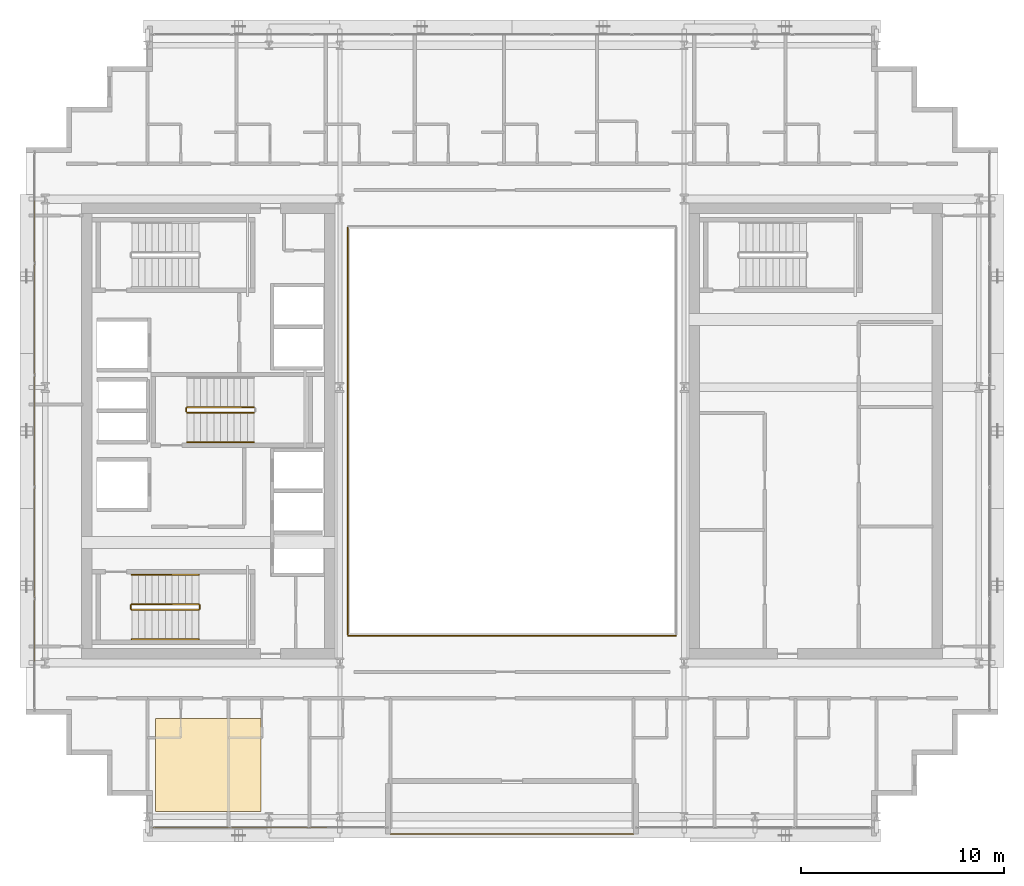
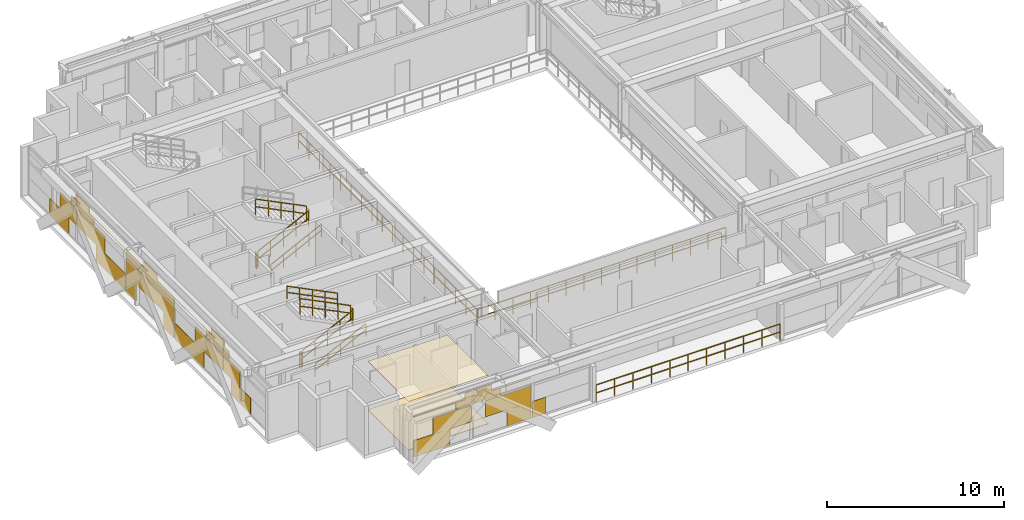
# One storey, part 29 of 32: 13 railings, 4 coverings.
"""IFC4 building model written with IfcOpenShell, lengths in metres."""

from ifc_helpers import new_model, si_unit, direction, frame, origin, origin_2d, place, context, subcontext, project, spatial, polyline, rectangle, outline, extrude, material, layer, layer_set, type_object, element, save


model = new_model("IFC4")

# Units and contexts
model_context = context("Model", 3, precision=1e-05, world=origin(), true_north=direction((0.0, 1.0)))
body_context = subcontext(model_context, "Body", "Model", "MODEL_VIEW")
ifc_project = project(units=[si_unit("LENGTHUNIT", "METRE"), si_unit("AREAUNIT", "SQUARE_METRE"), si_unit("VOLUMEUNIT", "CUBIC_METRE"), si_unit("PLANEANGLEUNIT", "RADIAN"), si_unit("MASSUNIT", "GRAM", prefix="KILO")], contexts=[model_context])

# Site, building, storey
site_placement = place(None, origin())
site = spatial("IfcSite", under=ifc_project, at=site_placement, CompositionType="ELEMENT")
building_placement = place(site_placement, origin())
building = spatial("IfcBuilding", under=site, at=building_placement, Name="Ocotamira Hotel", CompositionType="ELEMENT")
storey_placement = place(building_placement, frame((0.0, 0.0, 166.800048828125)))
storey = spatial("IfcBuildingStorey", under=building, at=storey_placement, Name="L41", CompositionType="ELEMENT", Elevation=166.800048828125)

# Coverings
ifc_material_1 = material(Name="Perforated acoustic gypsum ceiling board", Category="gypsum")
ifc_layer_1 = layer(ifc_material_1, 0.02490234375)
ifc_layer_set_1 = layer_set([ifc_layer_1], Name="Perforated acoustic gypsum ceiling board")
covering_type_1 = type_object("IfcCoveringType", Name="COV-CEIL-25", PredefinedType="CEILING", material=ifc_layer_set_1)
covering_1_placement = place(storey_placement, frame((0.0, 0.0, 3.344970703125)))
element("IfcCovering", 1, at=covering_1_placement, inside=storey, type_object=covering_type_1, Name="L41 Acoustic Ceiling", PredefinedType="CEILING", context=body_context, shape_type="SweptSolid", body=[
    extrude(outline(polyline([(14.39990234375, 7.199951171875), (19.60009765625, 7.199951171875), (19.60009765625, 11.800048828125), (14.39990234375, 11.800048828125), (14.39990234375, 7.199951171875)])), origin(), (0.0, 0.0, 1.0), 0.02490234375),
])
ifc_material_2 = material(Name="Honed desert travertine stone flooring", Category="masonry")
ifc_layer_2 = layer(ifc_material_2, 0.030029296875)
ifc_layer_set_2 = layer_set([ifc_layer_2], Name="Honed desert travertine stone flooring")
covering_type_2 = type_object("IfcCoveringType", Name="COV-FLOR-30", PredefinedType="FLOORING", material=ifc_layer_set_2)
covering_2_placement = place(storey_placement, origin())
element("IfcCovering", 2, at=covering_2_placement, inside=storey, type_object=covering_type_2, Name="L41 Honed Stone Floor Finish", PredefinedType="FLOORING", context=body_context, shape_type="SweptSolid", body=[
    extrude(outline(polyline([(14.39990234375, 7.199951171875), (19.60009765625, 7.199951171875), (19.60009765625, 11.800048828125), (14.39990234375, 11.800048828125), (14.39990234375, 7.199951171875)])), origin(), (0.0, 0.0, 1.0), 0.030029296875),
])
ifc_material_3 = material(Name="Insulated pale-metal aluminium spandrel panel", Category="aluminium")
ifc_layer_3 = layer(ifc_material_3, 0.044921875)
ifc_layer_set_3 = layer_set([ifc_layer_3], Name="Insulated pale-metal aluminium spandrel panel")
covering_type_3 = type_object("IfcCoveringType", Name="COV-INFILL-45", PredefinedType="CLADDING", material=ifc_layer_set_3)
covering_3_placement = place(storey_placement, origin())
element("IfcCovering", 3, at=covering_3_placement, inside=storey, type_object=covering_type_3, Name="L41 Curtain Wall Infill CW-4 CW-L41-S1", PredefinedType="CLADDING", context=body_context, shape_type="SweptSolid", body=[
    extrude(rectangle(XDim=2.37158203125, YDim=0.044921875, at=origin_2d()), frame((15.46630859375, 6.419921875, 0.0751953125), z_axis=(0.0, 0.0, 1.0), x_axis=(1.0, 0.0, 0.0)), (0.0, 0.0, 1.0), 1.117919921875),
    extrude(rectangle(XDim=2.510498046875, YDim=0.044921875, at=origin_2d()), frame((16.78759765625, 6.419921875, 1.19384765625), z_axis=(0.0, 0.0, 1.0), x_axis=(1.0, 0.0, 0.0)), (0.0, 0.0, 1.0), 1.117919921875),
    extrude(rectangle(XDim=3.76220703125, YDim=0.044921875, at=origin_2d()), frame((16.16162109375, 6.419921875, 2.83154296875), z_axis=(0.0, 0.0, 1.0), x_axis=(1.0, 0.0, 0.0)), (0.0, 0.0, 1.0), 0.0302734375),
    extrude(rectangle(XDim=1.018310546875, YDim=0.044921875, at=origin_2d()), frame((17.53369140625, 6.419921875, 2.3876953125), z_axis=(0.0, 0.0, 1.0), x_axis=(1.0, 0.0, 0.0)), (0.0, 0.0, 1.0), 0.442626953125),
    extrude(rectangle(XDim=0.4248046875, YDim=0.044921875, at=origin_2d()), frame((17.83056640625, 6.419921875, 2.86279296875), z_axis=(0.0, 0.0, 1.0), x_axis=(1.0, 0.0, 0.0)), (0.0, 0.0, 1.0), 0.431640625),
    extrude(rectangle(XDim=2.9765625, YDim=0.044921875, at=origin_2d()), frame((20.43798828125, 6.419921875, 1.19384765625), z_axis=(0.0, 0.0, 1.0), x_axis=(1.0, 0.0, 0.0)), (0.0, 0.0, 1.0), 1.117919921875),
    extrude(rectangle(XDim=1.578125, YDim=0.044921875, at=origin_2d()), frame((21.13720703125, 6.419921875, 0.0751953125), z_axis=(0.0, 0.0, 1.0), x_axis=(1.0, 0.0, 0.0)), (0.0, 0.0, 1.0), 1.117919921875),
    extrude(rectangle(XDim=1.8515625, YDim=0.044921875, at=origin_2d()), frame((19.049560546875, 6.419921875, 2.3876953125), z_axis=(0.0, 0.0, 1.0), x_axis=(1.0, 0.0, 0.0)), (0.0, 0.0, 1.0), 0.442626953125),
    extrude(rectangle(XDim=3.80224609375, YDim=0.044921875, at=origin_2d()), frame((20.02490234375, 6.419921875, 2.83154296875), z_axis=(0.0, 0.0, 1.0), x_axis=(1.0, 0.0, 0.0)), (0.0, 0.0, 1.0), 0.0302734375),
    extrude(rectangle(XDim=1.258056640625, YDim=0.044921875, at=origin_2d()), frame((18.7529296875, 6.419921875, 2.86279296875), z_axis=(0.0, 0.0, 1.0), x_axis=(1.0, 0.0, 0.0)), (0.0, 0.0, 1.0), 0.431640625),
    extrude(rectangle(XDim=0.85888671875, YDim=0.044921875, at=origin_2d()), frame((22.4365234375, 6.419921875, 0.0751953125), z_axis=(0.0, 0.0, 1.0), x_axis=(1.0, 0.0, 0.0)), (0.0, 0.0, 1.0), 1.117919921875),
])
covering_4_placement = place(storey_placement, origin())
element("IfcCovering", 4, at=covering_4_placement, inside=storey, type_object=covering_type_3, Name="L41 Curtain Wall Infill CW-4 CW-L41-W", PredefinedType="CLADDING", context=body_context, shape_type="SweptSolid", body=[
    extrude(rectangle(XDim=2.205078125, YDim=0.044921875, at=origin_2d()), frame((8.419921875, 15.7314453125, 0.0751953125), z_axis=(0.0, 0.0, 1.0), x_axis=(0.0, 1.0, 0.0)), (0.0, 0.0, 1.0), 1.117919921875),
    extrude(rectangle(XDim=1.864501953125, YDim=0.044921875, at=origin_2d()), frame((8.419921875, 16.747314453125, 1.19384765625), z_axis=(0.0, 0.0, 1.0), x_axis=(0.0, 1.0, 0.0)), (0.0, 0.0, 1.0), 1.117919921875),
    extrude(rectangle(XDim=0.59912109375, YDim=0.044921875, at=origin_2d()), frame((8.419921875, 17.3798828125, 2.38818359375), z_axis=(0.0, 0.0, 1.0), x_axis=(0.0, 1.0, 0.0)), (0.0, 0.0, 1.0), 0.493896484375),
    extrude(rectangle(XDim=0.07421875, YDim=0.044921875, at=origin_2d()), frame((8.419921875, 17.642333984375, 2.883056640625), z_axis=(0.0, 0.0, 1.0), x_axis=(0.0, 1.0, 0.0)), (0.0, 0.0, 1.0), 0.41162109375),
    extrude(rectangle(XDim=3.157958984375, YDim=0.044921875, at=origin_2d()), frame((8.419921875, 19.33935546875, 1.19384765625), z_axis=(0.0, 0.0, 1.0), x_axis=(0.0, 1.0, 0.0)), (0.0, 0.0, 1.0), 1.117919921875),
    extrude(rectangle(XDim=3.30029296875, YDim=0.044921875, at=origin_2d()), frame((8.419921875, 21.54931640625, 0.0751953125), z_axis=(0.0, 0.0, 1.0), x_axis=(0.0, 1.0, 0.0)), (0.0, 0.0, 1.0), 1.117919921875),
    extrude(rectangle(XDim=1.892333984375, YDim=0.044921875, at=origin_2d()), frame((8.419921875, 18.70654296875, 2.38818359375), z_axis=(0.0, 0.0, 1.0), x_axis=(0.0, 1.0, 0.0)), (0.0, 0.0, 1.0), 0.459716796875),
    extrude(rectangle(XDim=5.43896484375, YDim=0.044921875, at=origin_2d()), frame((8.419921875, 20.47998046875, 2.8486328125), z_axis=(0.0, 0.0, 1.0), x_axis=(0.0, 1.0, 0.0)), (0.0, 0.0, 1.0), 0.033203125),
    extrude(rectangle(XDim=1.367431640625, YDim=0.044921875, at=origin_2d()), frame((8.419921875, 18.444091796875, 2.883056640625), z_axis=(0.0, 0.0, 1.0), x_axis=(0.0, 1.0, 0.0)), (0.0, 0.0, 1.0), 0.41162109375),
    extrude(rectangle(XDim=1.18701171875, YDim=0.044921875, at=origin_2d()), frame((8.419921875, 23.873779296875, 0.0751953125), z_axis=(0.0, 0.0, 1.0), x_axis=(0.0, 1.0, 0.0)), (0.0, 0.0, 1.0), 1.117919921875),
    extrude(rectangle(XDim=5.43896484375, YDim=0.044921875, at=origin_2d()), frame((8.419921875, 26.0, 1.19384765625), z_axis=(0.0, 0.0, 1.0), x_axis=(0.0, 1.0, 0.0)), (0.0, 0.0, 1.0), 1.117919921875),
    extrude(rectangle(XDim=1.18701171875, YDim=0.044921875, at=origin_2d()), frame((8.419921875, 28.126220703125, 0.0751953125), z_axis=(0.0, 0.0, 1.0), x_axis=(0.0, 1.0, 0.0)), (0.0, 0.0, 1.0), 1.117919921875),
    extrude(rectangle(XDim=5.43896484375, YDim=0.044921875, at=origin_2d()), frame((8.419921875, 26.0, 2.38818359375), z_axis=(0.0, 0.0, 1.0), x_axis=(0.0, 1.0, 0.0)), (0.0, 0.0, 1.0), 0.493896484375),
    extrude(rectangle(XDim=1.522705078125, YDim=0.044921875, at=origin_2d()), frame((8.419921875, 26.0, 2.883056640625), z_axis=(0.0, 0.0, 1.0), x_axis=(0.0, 1.0, 0.0)), (0.0, 0.0, 1.0), 0.41162109375),
    extrude(rectangle(XDim=3.30029296875, YDim=0.044921875, at=origin_2d()), frame((8.419921875, 30.45068359375, 0.0751953125), z_axis=(0.0, 0.0, 1.0), x_axis=(0.0, 1.0, 0.0)), (0.0, 0.0, 1.0), 1.117919921875),
    extrude(rectangle(XDim=3.157958984375, YDim=0.044921875, at=origin_2d()), frame((8.419921875, 32.66064453125, 1.19384765625), z_axis=(0.0, 0.0, 1.0), x_axis=(0.0, 1.0, 0.0)), (0.0, 0.0, 1.0), 1.117919921875),
    extrude(rectangle(XDim=5.43896484375, YDim=0.044921875, at=origin_2d()), frame((8.419921875, 31.52001953125, 2.8486328125), z_axis=(0.0, 0.0, 1.0), x_axis=(0.0, 1.0, 0.0)), (0.0, 0.0, 1.0), 0.033203125),
    extrude(rectangle(XDim=1.892333984375, YDim=0.044921875, at=origin_2d()), frame((8.419921875, 33.29345703125, 2.38818359375), z_axis=(0.0, 0.0, 1.0), x_axis=(0.0, 1.0, 0.0)), (0.0, 0.0, 1.0), 0.459716796875),
    extrude(rectangle(XDim=1.367431640625, YDim=0.044921875, at=origin_2d()), frame((8.419921875, 33.555908203125, 2.883056640625), z_axis=(0.0, 0.0, 1.0), x_axis=(0.0, 1.0, 0.0)), (0.0, 0.0, 1.0), 0.41162109375),
    extrude(rectangle(XDim=1.864501953125, YDim=0.044921875, at=origin_2d()), frame((8.419921875, 35.252685546875, 1.19384765625), z_axis=(0.0, 0.0, 1.0), x_axis=(0.0, 1.0, 0.0)), (0.0, 0.0, 1.0), 1.117919921875),
    extrude(rectangle(XDim=2.205078125, YDim=0.044921875, at=origin_2d()), frame((8.419921875, 36.2685546875, 0.0751953125), z_axis=(0.0, 0.0, 1.0), x_axis=(0.0, 1.0, 0.0)), (0.0, 0.0, 1.0), 1.117919921875),
    extrude(rectangle(XDim=0.59912109375, YDim=0.044921875, at=origin_2d()), frame((8.419921875, 34.6201171875, 2.38818359375), z_axis=(0.0, 0.0, 1.0), x_axis=(0.0, 1.0, 0.0)), (0.0, 0.0, 1.0), 0.493896484375),
    extrude(rectangle(XDim=0.07421875, YDim=0.044921875, at=origin_2d()), frame((8.419921875, 34.357666015625, 2.883056640625), z_axis=(0.0, 0.0, 1.0), x_axis=(0.0, 1.0, 0.0)), (0.0, 0.0, 1.0), 0.41162109375),
])

# Railings
ifc_material_4 = material(Name="Laminated glass and pale-metal balustrade", Category="glass")
railing_type_1 = type_object("IfcRailingType", Name="RL-BAL-1150", PredefinedType="BALUSTRADE", material=ifc_material_4)
railing_1_placement = place(storey_placement, frame((26.0, 6.10009765625, 0.0)))
element("IfcRailing", 5, at=railing_1_placement, inside=storey, type_object=railing_type_1, Name="L41 Sky Terrace Balustrade 1", PredefinedType="BALUSTRADE", context=body_context, shape_type="SweptSolid", body=[
    extrude(rectangle(XDim=0.048095703125, YDim=0.048095703125, at=origin_2d()), frame((0.0, 0.0, 1.1259765625), z_axis=(1.0, 0.0, 0.0), x_axis=(0.0, 1.0, 0.0)), (0.0, 0.0, 1.0), 12.0),
    extrude(rectangle(XDim=0.048095703125, YDim=0.048095703125, at=origin_2d()), frame((0.0, 0.0, 0.574951171875), z_axis=(1.0, 0.0, 0.0), x_axis=(0.0, 1.0, 0.0)), (0.0, 0.0, 1.0), 12.0),
    extrude(rectangle(XDim=0.0419921875, YDim=0.0419921875, at=origin_2d()), origin(), (0.0, 0.0, 1.0), 1.101806640625),
    extrude(rectangle(XDim=0.0419921875, YDim=0.0419921875, at=origin_2d()), frame((1.199951171875, 0.0, 0.0)), (0.0, 0.0, 1.0), 1.101806640625),
    extrude(rectangle(XDim=0.0419921875, YDim=0.0419921875, at=origin_2d()), frame((2.39990234375, 0.0, 0.0)), (0.0, 0.0, 1.0), 1.101806640625),
    extrude(rectangle(XDim=0.0419921875, YDim=0.0419921875, at=origin_2d()), frame((3.60009765625, 0.0, 0.0)), (0.0, 0.0, 1.0), 1.101806640625),
    extrude(rectangle(XDim=0.0419921875, YDim=0.0419921875, at=origin_2d()), frame((4.800048828125, 0.0, 0.0)), (0.0, 0.0, 1.0), 1.101806640625),
    extrude(rectangle(XDim=0.0419921875, YDim=0.0419921875, at=origin_2d()), frame((6.0, 0.0, 0.0)), (0.0, 0.0, 1.0), 1.101806640625),
    extrude(rectangle(XDim=0.0419921875, YDim=0.0419921875, at=origin_2d()), frame((7.199951171875, 0.0, 0.0)), (0.0, 0.0, 1.0), 1.101806640625),
    extrude(rectangle(XDim=0.0419921875, YDim=0.0419921875, at=origin_2d()), frame((8.39990234375, 0.0, 0.0)), (0.0, 0.0, 1.0), 1.101806640625),
    extrude(rectangle(XDim=0.0419921875, YDim=0.0419921875, at=origin_2d()), frame((9.60009765625, 0.0, 0.0)), (0.0, 0.0, 1.0), 1.101806640625),
    extrude(rectangle(XDim=0.0419921875, YDim=0.0419921875, at=origin_2d()), frame((10.800048828125, 0.0, 0.0)), (0.0, 0.0, 1.0), 1.101806640625),
    extrude(rectangle(XDim=0.0419921875, YDim=0.0419921875, at=origin_2d()), frame((12.0, 0.0, 0.0)), (0.0, 0.0, 1.0), 1.101806640625),
])
ifc_material_5 = material(Name="Painted steel stair guardrail", Category="steel")
railing_type_2 = type_object("IfcRailingType", Name="RL-EDGE-1150", PredefinedType="GUARDRAIL", material=ifc_material_5)
railing_2_placement = place(storey_placement, frame((23.89990234375, 15.8798828125, 0.0)))
element("IfcRailing", 6, at=railing_2_placement, inside=storey, type_object=railing_type_2, Name="L41 Central Atrium Edge Guardrail S", PredefinedType="GUARDRAIL", context=body_context, shape_type="SweptSolid", body=[
    extrude(rectangle(XDim=0.048095703125, YDim=0.048095703125, at=origin_2d()), frame((0.0, 0.0, 1.1259765625), z_axis=(1.0, 0.0, 0.0), x_axis=(0.0, 1.0, 0.0)), (0.0, 0.0, 1.0), 16.2001953125),
    extrude(rectangle(XDim=0.048095703125, YDim=0.048095703125, at=origin_2d()), frame((0.0, 0.0, 0.574951171875), z_axis=(1.0, 0.0, 0.0), x_axis=(0.0, 1.0, 0.0)), (0.0, 0.0, 1.0), 16.2001953125),
    extrude(rectangle(XDim=0.0419921875, YDim=0.0419921875, at=origin_2d()), origin(), (0.0, 0.0, 1.0), 1.101806640625),
    extrude(rectangle(XDim=0.0419921875, YDim=0.0419921875, at=origin_2d()), frame((1.1572265625, 0.0, 0.0)), (0.0, 0.0, 1.0), 1.101806640625),
    extrude(rectangle(XDim=0.0419921875, YDim=0.0419921875, at=origin_2d()), frame((2.314208984375, 0.0, 0.0)), (0.0, 0.0, 1.0), 1.101806640625),
    extrude(rectangle(XDim=0.0419921875, YDim=0.0419921875, at=origin_2d()), frame((3.471435546875, 0.0, 0.0)), (0.0, 0.0, 1.0), 1.101806640625),
    extrude(rectangle(XDim=0.0419921875, YDim=0.0419921875, at=origin_2d()), frame((4.628662109375, 0.0, 0.0)), (0.0, 0.0, 1.0), 1.101806640625),
    extrude(rectangle(XDim=0.0419921875, YDim=0.0419921875, at=origin_2d()), frame((5.785888671875, 0.0, 0.0)), (0.0, 0.0, 1.0), 1.101806640625),
    extrude(rectangle(XDim=0.0419921875, YDim=0.0419921875, at=origin_2d()), frame((6.94287109375, 0.0, 0.0)), (0.0, 0.0, 1.0), 1.101806640625),
    extrude(rectangle(XDim=0.0419921875, YDim=0.0419921875, at=origin_2d()), frame((8.10009765625, 0.0, 0.0)), (0.0, 0.0, 1.0), 1.101806640625),
    extrude(rectangle(XDim=0.0419921875, YDim=0.0419921875, at=origin_2d()), frame((9.25732421875, 0.0, 0.0)), (0.0, 0.0, 1.0), 1.101806640625),
    extrude(rectangle(XDim=0.0419921875, YDim=0.0419921875, at=origin_2d()), frame((10.414306640625, 0.0, 0.0)), (0.0, 0.0, 1.0), 1.101806640625),
    extrude(rectangle(XDim=0.0419921875, YDim=0.0419921875, at=origin_2d()), frame((11.571533203125, 0.0, 0.0)), (0.0, 0.0, 1.0), 1.101806640625),
    extrude(rectangle(XDim=0.0419921875, YDim=0.0419921875, at=origin_2d()), frame((12.728759765625, 0.0, 0.0)), (0.0, 0.0, 1.0), 1.101806640625),
    extrude(rectangle(XDim=0.0419921875, YDim=0.0419921875, at=origin_2d()), frame((13.885986328125, 0.0, 0.0)), (0.0, 0.0, 1.0), 1.101806640625),
    extrude(rectangle(XDim=0.0419921875, YDim=0.0419921875, at=origin_2d()), frame((15.04296875, 0.0, 0.0)), (0.0, 0.0, 1.0), 1.101806640625),
    extrude(rectangle(XDim=0.0419921875, YDim=0.0419921875, at=origin_2d()), frame((16.2001953125, 0.0, 0.0)), (0.0, 0.0, 1.0), 1.101806640625),
])
railing_3_placement = place(storey_placement, frame((23.8798828125, 36.0400390625, 0.0)))
element("IfcRailing", 7, at=railing_3_placement, inside=storey, type_object=railing_type_2, Name="L41 Central Atrium Edge Guardrail W", PredefinedType="GUARDRAIL", context=body_context, shape_type="SweptSolid", body=[
    extrude(rectangle(XDim=0.048095703125, YDim=0.048095703125, at=origin_2d()), frame((0.0, 0.0, 1.1259765625), z_axis=(0.0, -1.0, 0.0), x_axis=(1.0, 0.0, 0.0)), (0.0, 0.0, 1.0), 20.080078125),
    extrude(rectangle(XDim=0.048095703125, YDim=0.048095703125, at=origin_2d()), frame((0.0, 0.0, 0.574951171875), z_axis=(0.0, -1.0, 0.0), x_axis=(1.0, 0.0, 0.0)), (0.0, 0.0, 1.0), 20.080078125),
    extrude(rectangle(XDim=0.0419921875, YDim=0.0419921875, at=origin_2d()), origin(), (0.0, 0.0, 1.0), 1.101806640625),
    extrude(rectangle(XDim=0.0419921875, YDim=0.0419921875, at=origin_2d()), frame((0.0, -1.18115234375, 0.0)), (0.0, 0.0, 1.0), 1.101806640625),
    extrude(rectangle(XDim=0.0419921875, YDim=0.0419921875, at=origin_2d()), frame((0.0, -2.3623046875, 0.0)), (0.0, 0.0, 1.0), 1.101806640625),
    extrude(rectangle(XDim=0.0419921875, YDim=0.0419921875, at=origin_2d()), frame((0.0, -3.54345703125, 0.0)), (0.0, 0.0, 1.0), 1.101806640625),
    extrude(rectangle(XDim=0.0419921875, YDim=0.0419921875, at=origin_2d()), frame((0.0, -4.724609375, 0.0)), (0.0, 0.0, 1.0), 1.101806640625),
    extrude(rectangle(XDim=0.0419921875, YDim=0.0419921875, at=origin_2d()), frame((0.0, -5.906005859375, 0.0)), (0.0, 0.0, 1.0), 1.101806640625),
    extrude(rectangle(XDim=0.0419921875, YDim=0.0419921875, at=origin_2d()), frame((0.0, -7.087158203125, 0.0)), (0.0, 0.0, 1.0), 1.101806640625),
    extrude(rectangle(XDim=0.0419921875, YDim=0.0419921875, at=origin_2d()), frame((0.0, -8.268310546875, 0.0)), (0.0, 0.0, 1.0), 1.101806640625),
    extrude(rectangle(XDim=0.0419921875, YDim=0.0419921875, at=origin_2d()), frame((0.0, -9.449462890625, 0.0)), (0.0, 0.0, 1.0), 1.101806640625),
    extrude(rectangle(XDim=0.0419921875, YDim=0.0419921875, at=origin_2d()), frame((0.0, -10.630615234375, 0.0)), (0.0, 0.0, 1.0), 1.101806640625),
    extrude(rectangle(XDim=0.0419921875, YDim=0.0419921875, at=origin_2d()), frame((0.0, -11.811767578125, 0.0)), (0.0, 0.0, 1.0), 1.101806640625),
    extrude(rectangle(XDim=0.0419921875, YDim=0.0419921875, at=origin_2d()), frame((0.0, -12.992919921875, 0.0)), (0.0, 0.0, 1.0), 1.101806640625),
    extrude(rectangle(XDim=0.0419921875, YDim=0.0419921875, at=origin_2d()), frame((0.0, -14.174072265625, 0.0)), (0.0, 0.0, 1.0), 1.101806640625),
    extrude(rectangle(XDim=0.0419921875, YDim=0.0419921875, at=origin_2d()), frame((0.0, -15.35546875, 0.0)), (0.0, 0.0, 1.0), 1.101806640625),
    extrude(rectangle(XDim=0.0419921875, YDim=0.0419921875, at=origin_2d()), frame((0.0, -16.53662109375, 0.0)), (0.0, 0.0, 1.0), 1.101806640625),
    extrude(rectangle(XDim=0.0419921875, YDim=0.0419921875, at=origin_2d()), frame((0.0, -17.7177734375, 0.0)), (0.0, 0.0, 1.0), 1.101806640625),
    extrude(rectangle(XDim=0.0419921875, YDim=0.0419921875, at=origin_2d()), frame((0.0, -18.89892578125, 0.0)), (0.0, 0.0, 1.0), 1.101806640625),
    extrude(rectangle(XDim=0.0419921875, YDim=0.0419921875, at=origin_2d()), frame((0.0, -20.080078125, 0.0)), (0.0, 0.0, 1.0), 1.101806640625),
])
ifc_material_6 = material(Name="Brushed stainless steel handrail", Category="steel")
railing_type_3 = type_object("IfcRailingType", Name="RL-HAND-900", PredefinedType="HANDRAIL", material=ifc_material_6)
railing_4_placement = place(storey_placement, frame((13.22998046875, 15.719970703125, 0.3271484375)))
element("IfcRailing", 8, at=railing_4_placement, inside=storey, type_object=railing_type_3, Name="L41 ST-1 stair handrail 1", PredefinedType="HANDRAIL", context=body_context, shape_type="SweptSolid", body=[
    extrude(rectangle(XDim=0.048095703125, YDim=0.048095703125, at=origin_2d()), frame((0.0, 0.0, 0.8759765625), z_axis=(0.895893744519, 0.0, 0.4442683857), x_axis=(0.0, 1.0, 0.0)), (0.0, 0.0, 1.0), 3.68359375),
    extrude(rectangle(XDim=0.048095703125, YDim=0.048095703125, at=origin_2d()), frame((0.0, 0.0, 0.449951171875), z_axis=(0.895893744519, 0.0, 0.4442683857), x_axis=(0.0, 1.0, 0.0)), (0.0, 0.0, 1.0), 3.68359375),
    extrude(rectangle(XDim=0.0419921875, YDim=0.0419921875, at=origin_2d()), origin(), (0.0, 0.0, 1.0), 0.851806640625),
    extrude(rectangle(XDim=0.0419921875, YDim=0.0419921875, at=origin_2d()), frame((0.824951171875, 0.0, 0.4091796875)), (0.0, 0.0, 1.0), 0.851806640625),
    extrude(rectangle(XDim=0.0419921875, YDim=0.0419921875, at=origin_2d()), frame((1.64990234375, 0.0, 0.818359375)), (0.0, 0.0, 1.0), 0.851806640625),
    extrude(rectangle(XDim=0.0419921875, YDim=0.0419921875, at=origin_2d()), frame((2.47509765625, 0.0, 1.227294921875)), (0.0, 0.0, 1.0), 0.851806640625),
    extrude(rectangle(XDim=0.0419921875, YDim=0.0419921875, at=origin_2d()), frame((3.300048828125, 0.0, 1.636474609375)), (0.0, 0.0, 1.0), 0.851806640625),
])
railing_5_placement = place(storey_placement, frame((16.530029296875, 18.89990234375, 2.127197265625)))
element("IfcRailing", 9, at=railing_5_placement, inside=storey, type_object=railing_type_3, Name="L41 ST-1 stair handrail 2", PredefinedType="HANDRAIL", context=body_context, shape_type="SweptSolid", body=[
    extrude(rectangle(XDim=0.048095703125, YDim=0.048095703125, at=origin_2d()), frame((0.0, 0.0, 0.8759765625), z_axis=(-0.895893744519, 0.0, 0.4442683857), x_axis=(0.0, -1.0, 0.0)), (0.0, 0.0, 1.0), 3.68359375),
    extrude(rectangle(XDim=0.048095703125, YDim=0.048095703125, at=origin_2d()), frame((0.0, 0.0, 0.449951171875), z_axis=(-0.895893744519, 0.0, 0.4442683857), x_axis=(0.0, -1.0, 0.0)), (0.0, 0.0, 1.0), 3.68359375),
    extrude(rectangle(XDim=0.0419921875, YDim=0.0419921875, at=origin_2d()), origin(), (0.0, 0.0, 1.0), 0.851806640625),
    extrude(rectangle(XDim=0.0419921875, YDim=0.0419921875, at=origin_2d()), frame((-0.824951171875, 0.0, 0.4091796875)), (0.0, 0.0, 1.0), 0.851806640625),
    extrude(rectangle(XDim=0.0419921875, YDim=0.0419921875, at=origin_2d()), frame((-1.64990234375, 0.0, 0.818359375)), (0.0, 0.0, 1.0), 0.851806640625),
    extrude(rectangle(XDim=0.0419921875, YDim=0.0419921875, at=origin_2d()), frame((-2.47509765625, 0.0, 1.227294921875)), (0.0, 0.0, 1.0), 0.851806640625),
    extrude(rectangle(XDim=0.0419921875, YDim=0.0419921875, at=origin_2d()), frame((-3.300048828125, 0.0, 1.636474609375)), (0.0, 0.0, 1.0), 0.851806640625),
])
railing_6_placement = place(storey_placement, frame((15.9599609375, 25.449951171875, 0.3271484375)))
element("IfcRailing", 10, at=railing_6_placement, inside=storey, type_object=railing_type_3, Name="L41 ST-3 stair handrail 1", PredefinedType="HANDRAIL", context=body_context, shape_type="SweptSolid", body=[
    extrude(rectangle(XDim=0.048095703125, YDim=0.048095703125, at=origin_2d()), frame((0.0, 0.0, 0.8759765625), z_axis=(0.895893744519, 0.0, 0.4442683857), x_axis=(0.0, 1.0, 0.0)), (0.0, 0.0, 1.0), 3.68359375),
    extrude(rectangle(XDim=0.048095703125, YDim=0.048095703125, at=origin_2d()), frame((0.0, 0.0, 0.449951171875), z_axis=(0.895893744519, 0.0, 0.4442683857), x_axis=(0.0, 1.0, 0.0)), (0.0, 0.0, 1.0), 3.68359375),
    extrude(rectangle(XDim=0.0419921875, YDim=0.0419921875, at=origin_2d()), origin(), (0.0, 0.0, 1.0), 0.851806640625),
    extrude(rectangle(XDim=0.0419921875, YDim=0.0419921875, at=origin_2d()), frame((0.824951171875, 0.0, 0.4091796875)), (0.0, 0.0, 1.0), 0.851806640625),
    extrude(rectangle(XDim=0.0419921875, YDim=0.0419921875, at=origin_2d()), frame((1.64990234375, 0.0, 0.818359375)), (0.0, 0.0, 1.0), 0.851806640625),
    extrude(rectangle(XDim=0.0419921875, YDim=0.0419921875, at=origin_2d()), frame((2.47509765625, 0.0, 1.227294921875)), (0.0, 0.0, 1.0), 0.851806640625),
    extrude(rectangle(XDim=0.0419921875, YDim=0.0419921875, at=origin_2d()), frame((3.300048828125, 0.0, 1.636474609375)), (0.0, 0.0, 1.0), 0.851806640625),
])
railing_type_4 = type_object("IfcRailingType", Name="RL-STAIR-1100", PredefinedType="GUARDRAIL", material=ifc_material_5)
railing_7_placement = place(storey_placement, frame((13.22998046875, 17.179931640625, 0.16357421875)))
element("IfcRailing", 11, at=railing_7_placement, inside=storey, type_object=railing_type_4, Name="L41 ST-1 stair guard 1", PredefinedType="GUARDRAIL", context=body_context, shape_type="SweptSolid", body=[
    extrude(rectangle(XDim=0.048095703125, YDim=0.048095703125, at=origin_2d()), frame((0.0, 0.0, 1.076171875), z_axis=(0.895893744519, 0.0, 0.4442683857), x_axis=(0.0, 1.0, 0.0)), (0.0, 0.0, 1.0), 3.68359375),
    extrude(rectangle(XDim=0.048095703125, YDim=0.048095703125, at=origin_2d()), frame((0.0, 0.0, 0.550048828125), z_axis=(0.895893744519, 0.0, 0.4442683857), x_axis=(0.0, 1.0, 0.0)), (0.0, 0.0, 1.0), 3.68359375),
    extrude(rectangle(XDim=0.0419921875, YDim=0.0419921875, at=origin_2d()), origin(), (0.0, 0.0, 1.0), 1.052001953125),
    extrude(rectangle(XDim=0.0419921875, YDim=0.0419921875, at=origin_2d()), frame((0.824951171875, 0.0, 0.4091796875)), (0.0, 0.0, 1.0), 1.052001953125),
    extrude(rectangle(XDim=0.0419921875, YDim=0.0419921875, at=origin_2d()), frame((1.64990234375, 0.0, 0.818359375)), (0.0, 0.0, 1.0), 1.052001953125),
    extrude(rectangle(XDim=0.0419921875, YDim=0.0419921875, at=origin_2d()), frame((2.47509765625, 0.0, 1.227294921875)), (0.0, 0.0, 1.0), 1.052001953125),
    extrude(rectangle(XDim=0.0419921875, YDim=0.0419921875, at=origin_2d()), frame((3.300048828125, 0.0, 1.636474609375)), (0.0, 0.0, 1.0), 1.052001953125),
])
railing_8_placement = place(storey_placement, frame((16.580078125, 17.22998046875, 1.800048828125)))
element("IfcRailing", 12, at=railing_8_placement, inside=storey, type_object=railing_type_4, Name="L41 ST-1 stair guard 2", PredefinedType="GUARDRAIL", context=body_context, shape_type="SweptSolid", body=[
    extrude(rectangle(XDim=0.048095703125, YDim=0.048095703125, at=origin_2d()), frame((0.0, 0.0, 1.076171875), z_axis=(0.0, 1.0, 0.0), x_axis=(-1.0, 0.0, 0.0)), (0.0, 0.0, 1.0), 0.159912109375),
    extrude(rectangle(XDim=0.048095703125, YDim=0.048095703125, at=origin_2d()), frame((0.0, 0.0, 0.550048828125), z_axis=(0.0, 1.0, 0.0), x_axis=(-1.0, 0.0, 0.0)), (0.0, 0.0, 1.0), 0.159912109375),
    extrude(rectangle(XDim=0.0419921875, YDim=0.0419921875, at=origin_2d()), origin(), (0.0, 0.0, 1.0), 1.052001953125),
    extrude(rectangle(XDim=0.0419921875, YDim=0.0419921875, at=origin_2d()), frame((0.0, 0.159912109375, 0.0)), (0.0, 0.0, 1.0), 1.052001953125),
])
railing_9_placement = place(storey_placement, frame((16.530029296875, 17.43994140625, 1.963623046875)))
element("IfcRailing", 13, at=railing_9_placement, inside=storey, type_object=railing_type_4, Name="L41 ST-1 stair guard 3", PredefinedType="GUARDRAIL", context=body_context, shape_type="SweptSolid", body=[
    extrude(rectangle(XDim=0.048095703125, YDim=0.048095703125, at=origin_2d()), frame((0.0, 0.0, 1.076171875), z_axis=(-0.895920123917, 0.0, 0.444215186098), x_axis=(0.0, -1.0, 0.0)), (0.0, 0.0, 1.0), 3.683349609375),
    extrude(rectangle(XDim=0.048095703125, YDim=0.048095703125, at=origin_2d()), frame((0.0, 0.0, 0.550048828125), z_axis=(-0.895920123917, 0.0, 0.444215186098), x_axis=(0.0, -1.0, 0.0)), (0.0, 0.0, 1.0), 3.683349609375),
    extrude(rectangle(XDim=0.0419921875, YDim=0.0419921875, at=origin_2d()), origin(), (0.0, 0.0, 1.0), 1.052001953125),
    extrude(rectangle(XDim=0.0419921875, YDim=0.0419921875, at=origin_2d()), frame((-0.824951171875, 0.0, 0.4091796875)), (0.0, 0.0, 1.0), 1.052001953125),
    extrude(rectangle(XDim=0.0419921875, YDim=0.0419921875, at=origin_2d()), frame((-1.64990234375, 0.0, 0.818115234375)), (0.0, 0.0, 1.0), 1.052001953125),
    extrude(rectangle(XDim=0.0419921875, YDim=0.0419921875, at=origin_2d()), frame((-2.47509765625, 0.0, 1.22705078125)), (0.0, 0.0, 1.0), 1.052001953125),
    extrude(rectangle(XDim=0.0419921875, YDim=0.0419921875, at=origin_2d()), frame((-3.300048828125, 0.0, 1.63623046875)), (0.0, 0.0, 1.0), 1.052001953125),
])
railing_10_placement = place(storey_placement, frame((13.179931640625, 17.22998046875, 0.0)))
element("IfcRailing", 14, at=railing_10_placement, inside=storey, type_object=railing_type_4, Name="L41 ST-1 stair guard 4", PredefinedType="GUARDRAIL", context=body_context, shape_type="SweptSolid", body=[
    extrude(rectangle(XDim=0.048095703125, YDim=0.048095703125, at=origin_2d()), frame((0.0, 0.0, 1.076171875), z_axis=(0.0, 1.0, 0.0), x_axis=(-1.0, 0.0, 0.0)), (0.0, 0.0, 1.0), 0.159912109375),
    extrude(rectangle(XDim=0.048095703125, YDim=0.048095703125, at=origin_2d()), frame((0.0, 0.0, 0.550048828125), z_axis=(0.0, 1.0, 0.0), x_axis=(-1.0, 0.0, 0.0)), (0.0, 0.0, 1.0), 0.159912109375),
    extrude(rectangle(XDim=0.0419921875, YDim=0.0419921875, at=origin_2d()), origin(), (0.0, 0.0, 1.0), 1.052001953125),
    extrude(rectangle(XDim=0.0419921875, YDim=0.0419921875, at=origin_2d()), frame((0.0, 0.159912109375, 0.0)), (0.0, 0.0, 1.0), 1.052001953125),
])
railing_11_placement = place(storey_placement, frame((15.9599609375, 26.909912109375, 0.16357421875)))
element("IfcRailing", 15, at=railing_11_placement, inside=storey, type_object=railing_type_4, Name="L41 ST-3 stair guard 1", PredefinedType="GUARDRAIL", context=body_context, shape_type="SweptSolid", body=[
    extrude(rectangle(XDim=0.048095703125, YDim=0.048095703125, at=origin_2d()), frame((0.0, 0.0, 1.076171875), z_axis=(0.895893744519, 0.0, 0.4442683857), x_axis=(0.0, 1.0, 0.0)), (0.0, 0.0, 1.0), 3.68359375),
    extrude(rectangle(XDim=0.048095703125, YDim=0.048095703125, at=origin_2d()), frame((0.0, 0.0, 0.550048828125), z_axis=(0.895893744519, 0.0, 0.4442683857), x_axis=(0.0, 1.0, 0.0)), (0.0, 0.0, 1.0), 3.68359375),
    extrude(rectangle(XDim=0.0419921875, YDim=0.0419921875, at=origin_2d()), origin(), (0.0, 0.0, 1.0), 1.052001953125),
    extrude(rectangle(XDim=0.0419921875, YDim=0.0419921875, at=origin_2d()), frame((0.824951171875, 0.0, 0.4091796875)), (0.0, 0.0, 1.0), 1.052001953125),
    extrude(rectangle(XDim=0.0419921875, YDim=0.0419921875, at=origin_2d()), frame((1.64990234375, 0.0, 0.818359375)), (0.0, 0.0, 1.0), 1.052001953125),
    extrude(rectangle(XDim=0.0419921875, YDim=0.0419921875, at=origin_2d()), frame((2.47509765625, 0.0, 1.227294921875)), (0.0, 0.0, 1.0), 1.052001953125),
    extrude(rectangle(XDim=0.0419921875, YDim=0.0419921875, at=origin_2d()), frame((3.300048828125, 0.0, 1.636474609375)), (0.0, 0.0, 1.0), 1.052001953125),
])
railing_12_placement = place(storey_placement, frame((19.260009765625, 27.169921875, 1.963623046875)))
element("IfcRailing", 16, at=railing_12_placement, inside=storey, type_object=railing_type_4, Name="L41 ST-3 stair guard 3", PredefinedType="GUARDRAIL", context=body_context, shape_type="SweptSolid", body=[
    extrude(rectangle(XDim=0.048095703125, YDim=0.048095703125, at=origin_2d()), frame((0.0, 0.0, 1.076171875), z_axis=(-0.895920123917, 0.0, 0.444215186098), x_axis=(0.0, -1.0, 0.0)), (0.0, 0.0, 1.0), 3.683349609375),
    extrude(rectangle(XDim=0.048095703125, YDim=0.048095703125, at=origin_2d()), frame((0.0, 0.0, 0.550048828125), z_axis=(-0.895920123917, 0.0, 0.444215186098), x_axis=(0.0, -1.0, 0.0)), (0.0, 0.0, 1.0), 3.683349609375),
    extrude(rectangle(XDim=0.0419921875, YDim=0.0419921875, at=origin_2d()), origin(), (0.0, 0.0, 1.0), 1.052001953125),
    extrude(rectangle(XDim=0.0419921875, YDim=0.0419921875, at=origin_2d()), frame((-0.824951171875, 0.0, 0.4091796875)), (0.0, 0.0, 1.0), 1.052001953125),
    extrude(rectangle(XDim=0.0419921875, YDim=0.0419921875, at=origin_2d()), frame((-1.64990234375, 0.0, 0.818115234375)), (0.0, 0.0, 1.0), 1.052001953125),
    extrude(rectangle(XDim=0.0419921875, YDim=0.0419921875, at=origin_2d()), frame((-2.47509765625, 0.0, 1.22705078125)), (0.0, 0.0, 1.0), 1.052001953125),
    extrude(rectangle(XDim=0.0419921875, YDim=0.0419921875, at=origin_2d()), frame((-3.300048828125, 0.0, 1.63623046875)), (0.0, 0.0, 1.0), 1.052001953125),
])
railing_13_placement = place(storey_placement, frame((15.909912109375, 26.9599609375, 0.0)))
element("IfcRailing", 17, at=railing_13_placement, inside=storey, type_object=railing_type_4, Name="L41 ST-3 stair guard 4", PredefinedType="GUARDRAIL", context=body_context, shape_type="SweptSolid", body=[
    extrude(rectangle(XDim=0.048095703125, YDim=0.048095703125, at=origin_2d()), frame((0.0, 0.0, 1.076171875), z_axis=(0.0, 1.0, 0.0), x_axis=(-1.0, 0.0, 0.0)), (0.0, 0.0, 1.0), 0.16015625),
    extrude(rectangle(XDim=0.048095703125, YDim=0.048095703125, at=origin_2d()), frame((0.0, 0.0, 0.550048828125), z_axis=(0.0, 1.0, 0.0), x_axis=(-1.0, 0.0, 0.0)), (0.0, 0.0, 1.0), 0.16015625),
    extrude(rectangle(XDim=0.0419921875, YDim=0.0419921875, at=origin_2d()), origin(), (0.0, 0.0, 1.0), 1.052001953125),
    extrude(rectangle(XDim=0.0419921875, YDim=0.0419921875, at=origin_2d()), frame((0.0, 0.16015625, 0.0)), (0.0, 0.0, 1.0), 1.052001953125),
])

save(model, "model.ifc")
